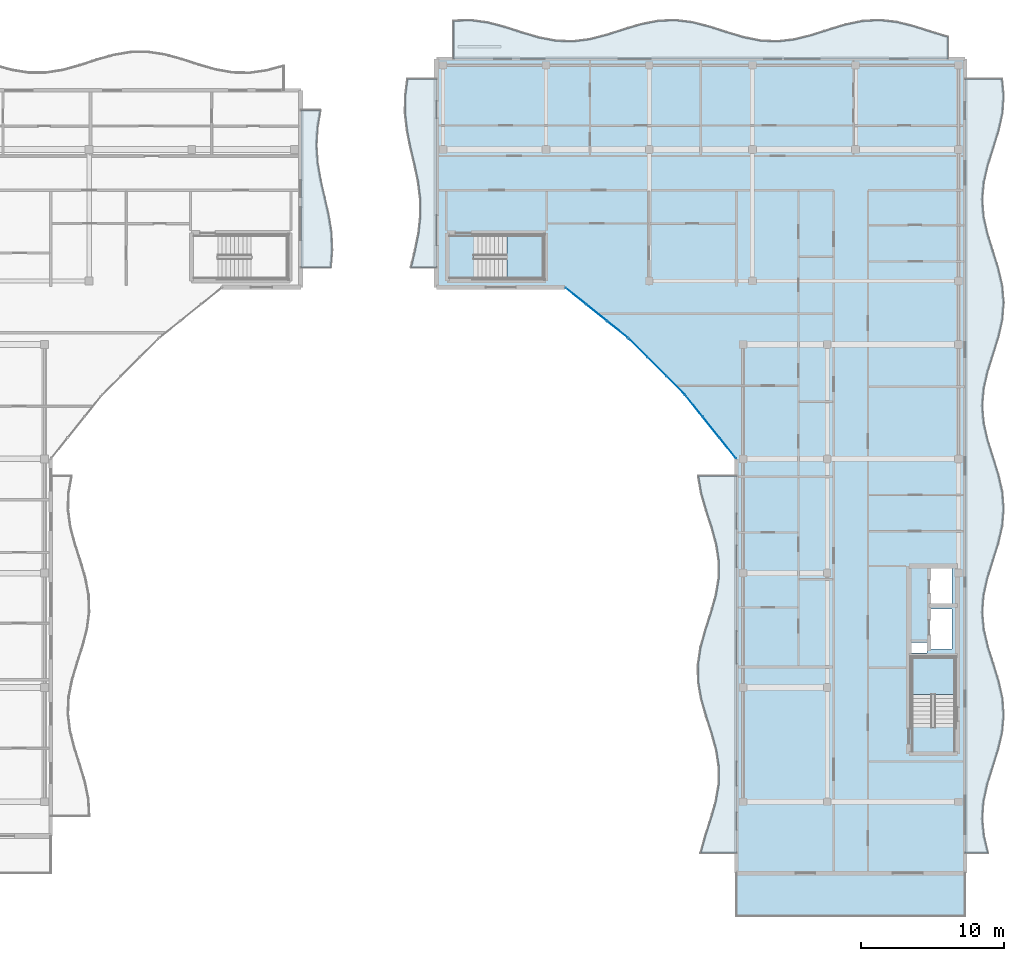
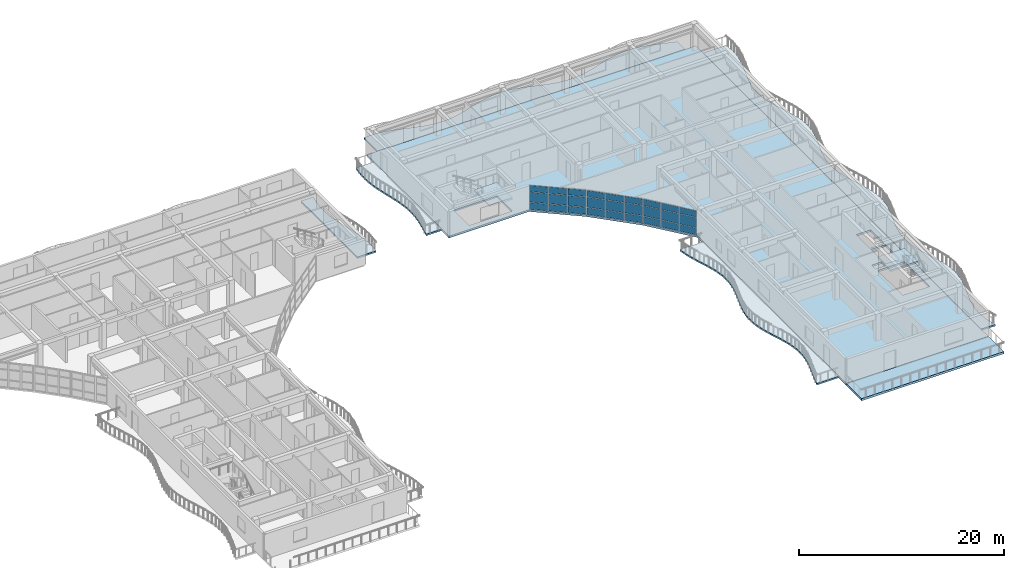
# One storey, part 24 of 49: 27 plates, 9 slabs, 5 elements without a shape of their own.
"""IFC4 building model written with IfcOpenShell, lengths in metres."""

from ifc_helpers import new_model, si_unit, direction, frame, origin, origin_2d, place, context, subcontext, project, spatial, polyline, rectangle, outline, extrude, material, layer, layer_set, type_object, element, aggregate, save


model = new_model("IFC4")

# Units and contexts
model_context = context("Model", 3, precision=1e-05, world=origin(), true_north=direction((0.0, 1.0)))
body_context = subcontext(model_context, "Body", "Model", "MODEL_VIEW")
ifc_project = project(units=[si_unit("LENGTHUNIT", "METRE"), si_unit("AREAUNIT", "SQUARE_METRE"), si_unit("VOLUMEUNIT", "CUBIC_METRE"), si_unit("PLANEANGLEUNIT", "RADIAN"), si_unit("MASSUNIT", "GRAM", prefix="KILO")], contexts=[model_context])

# Site, building, storey
site_placement = place(None, origin())
site = spatial("IfcSite", under=ifc_project, at=site_placement, CompositionType="ELEMENT")
building_placement = place(site_placement, origin())
building = spatial("IfcBuilding", under=site, at=building_placement, Name="Keldmere Railside Commons", CompositionType="ELEMENT")
storey_placement = place(building_placement, frame((0.0, 0.0, 29.760009765625)))
storey = spatial("IfcBuildingStorey", under=building, at=storey_placement, Name="L09", CompositionType="ELEMENT", Elevation=29.760009765625)

# Curtain wall, plates
ifc_material_1 = material(Name="Thermally Broken Aluminium", Category="aluminium")
ifc_layer_1 = layer(ifc_material_1, 0.159912109375, Name="Court Chord Wintergarden CW 5400x2850")
ifc_layer_set_1 = layer_set([ifc_layer_1], Name="Thermally Broken Aluminium")
curtain_wall_type_1 = type_object("IfcCurtainWallType", Name="Court Chord Wintergarden CW 5400x2850", PredefinedType="NOTDEFINED", material=ifc_layer_set_1)
curtain_wall_1_placement = place(storey_placement, origin())
curtain_wall_1 = element("IfcCurtainWall", 1, at=curtain_wall_1_placement, inside=storey, type_object=curtain_wall_type_1, Name="CW-13 CW-L09-184", PredefinedType="NOTDEFINED")
ifc_material_2 = material(Name="Low-E Insulated Double Glazing", Category="glass")
ifc_layer_2 = layer(ifc_material_2, 0.033935546875, Name="Acoustic Laminated Vision Panel 34")
ifc_layer_set_2 = layer_set([ifc_layer_2], Name="Low-E Insulated Double Glazing")
plate_type_1 = type_object("IfcPlateType", Name="Acoustic Laminated Vision Panel 34", PredefinedType="CURTAIN_PANEL", material=ifc_layer_set_2)
plate_1_placement = place(storey_placement, frame((159.678955078125, 97.048583984375, 0.06494140625), z_axis=(0.0, 0.0, 1.0), x_axis=(-0.780009172323, 0.625768080915, 0.0)))
plate_1 = element("IfcPlate", 2, at=plate_1_placement, type_object=plate_type_1, Name="CW-13 panel 1.1", PredefinedType="CURTAIN_PANEL", context=body_context, shape_type="SweptSolid", body=[
    extrude(rectangle(XDim=1.795654296875, YDim=0.033935546875, at=origin_2d()), origin(), (0.0, 0.0, 1.0), 0.802490234375),
])
plate_2_placement = place(storey_placement, frame((159.678955078125, 97.048583984375, 0.932373046875), z_axis=(0.0, 0.0, 1.0), x_axis=(-0.780009172323, 0.625768080915, 0.0)))
plate_2 = element("IfcPlate", 3, at=plate_2_placement, type_object=plate_type_1, Name="CW-13 panel 1.2", PredefinedType="CURTAIN_PANEL", context=body_context, shape_type="SweptSolid", body=[
    extrude(rectangle(XDim=1.795654296875, YDim=0.033935546875, at=origin_2d()), origin(), (0.0, 0.0, 1.0), 1.18505859375),
])
plate_3_placement = place(storey_placement, frame((159.678955078125, 97.048583984375, 2.1826171875), z_axis=(0.0, 0.0, 1.0), x_axis=(-0.780009172323, 0.625768080915, 0.0)))
plate_3 = element("IfcPlate", 4, at=plate_3_placement, type_object=plate_type_1, Name="CW-13 panel 1.3", PredefinedType="CURTAIN_PANEL", context=body_context, shape_type="SweptSolid", body=[
    extrude(rectangle(XDim=1.795654296875, YDim=0.033935546875, at=origin_2d()), origin(), (0.0, 0.0, 1.0), 0.732421875),
])
plate_4_placement = place(storey_placement, frame((158.215087890625, 98.222900390625, 0.06494140625), z_axis=(0.0, 0.0, 1.0), x_axis=(-0.780009172323, 0.625768080915, 0.0)))
plate_4 = element("IfcPlate", 5, at=plate_4_placement, type_object=plate_type_1, Name="CW-13 panel 2.1", PredefinedType="CURTAIN_PANEL", context=body_context, shape_type="SweptSolid", body=[
    extrude(rectangle(XDim=1.828125, YDim=0.033935546875, at=origin_2d()), origin(), (0.0, 0.0, 1.0), 0.802490234375),
])
plate_5_placement = place(storey_placement, frame((158.215087890625, 98.222900390625, 0.932373046875), z_axis=(0.0, 0.0, 1.0), x_axis=(-0.780009172323, 0.625768080915, 0.0)))
plate_5 = element("IfcPlate", 6, at=plate_5_placement, type_object=plate_type_1, Name="CW-13 panel 2.2", PredefinedType="CURTAIN_PANEL", context=body_context, shape_type="SweptSolid", body=[
    extrude(rectangle(XDim=1.828125, YDim=0.033935546875, at=origin_2d()), origin(), (0.0, 0.0, 1.0), 1.18505859375),
])
plate_6_placement = place(storey_placement, frame((158.215087890625, 98.222900390625, 2.1826171875), z_axis=(0.0, 0.0, 1.0), x_axis=(-0.780009172323, 0.625768080915, 0.0)))
plate_6 = element("IfcPlate", 7, at=plate_6_placement, type_object=plate_type_1, Name="CW-13 panel 2.3", PredefinedType="CURTAIN_PANEL", context=body_context, shape_type="SweptSolid", body=[
    extrude(rectangle(XDim=1.828125, YDim=0.033935546875, at=origin_2d()), origin(), (0.0, 0.0, 1.0), 0.732421875),
])
plate_7_placement = place(storey_placement, frame((156.7509765625, 99.3974609375, 0.06494140625), z_axis=(0.0, 0.0, 1.0), x_axis=(-0.780009172323, 0.625768080915, 0.0)))
plate_7 = element("IfcPlate", 8, at=plate_7_placement, type_object=plate_type_1, Name="CW-13 panel 3.1", PredefinedType="CURTAIN_PANEL", context=body_context, shape_type="SweptSolid", body=[
    extrude(rectangle(XDim=1.795654296875, YDim=0.033935546875, at=origin_2d()), origin(), (0.0, 0.0, 1.0), 0.802490234375),
])
plate_8_placement = place(storey_placement, frame((156.7509765625, 99.3974609375, 0.932373046875), z_axis=(0.0, 0.0, 1.0), x_axis=(-0.780009172323, 0.625768080915, 0.0)))
plate_8 = element("IfcPlate", 9, at=plate_8_placement, type_object=plate_type_1, Name="CW-13 panel 3.2", PredefinedType="CURTAIN_PANEL", context=body_context, shape_type="SweptSolid", body=[
    extrude(rectangle(XDim=1.795654296875, YDim=0.033935546875, at=origin_2d()), origin(), (0.0, 0.0, 1.0), 1.18505859375),
])
plate_9_placement = place(storey_placement, frame((156.7509765625, 99.3974609375, 2.1826171875), z_axis=(0.0, 0.0, 1.0), x_axis=(-0.780009172323, 0.625768080915, 0.0)))
plate_9 = element("IfcPlate", 10, at=plate_9_placement, type_object=plate_type_1, Name="CW-13 panel 3.3", PredefinedType="CURTAIN_PANEL", context=body_context, shape_type="SweptSolid", body=[
    extrude(rectangle(XDim=1.795654296875, YDim=0.033935546875, at=origin_2d()), origin(), (0.0, 0.0, 1.0), 0.732421875),
])
aggregate(curtain_wall_1, [plate_1, plate_2, plate_3, plate_4, plate_5, plate_6, plate_7, plate_8, plate_9])

ifc_layer_3 = layer(ifc_material_1, 0.159912109375, Name="Court Chord Wintergarden CW 4800x2850")
ifc_layer_set_3 = layer_set([ifc_layer_3], Name="Thermally Broken Aluminium")
curtain_wall_type_2 = type_object("IfcCurtainWallType", Name="Court Chord Wintergarden CW 4800x2850", PredefinedType="NOTDEFINED", material=ifc_layer_set_3)
curtain_wall_2_placement = place(storey_placement, origin())
curtain_wall_2 = element("IfcCurtainWall", 11, at=curtain_wall_2_placement, inside=storey, type_object=curtain_wall_type_2, Name="CW-12 CW-L09-185", PredefinedType="NOTDEFINED")
ifc_layer_4 = layer(ifc_material_2, 0.031982421875, Name="Clerestory Solar-Control Vision Panel 32")
ifc_layer_set_4 = layer_set([ifc_layer_4], Name="Low-E Insulated Double Glazing")
plate_type_2 = type_object("IfcPlateType", Name="Clerestory Solar-Control Vision Panel 32", PredefinedType="CURTAIN_PANEL", material=ifc_layer_set_4)
plate_10_placement = place(storey_placement, frame((163.76513671875, 93.11083984375, 0.06494140625), z_axis=(0.0, 0.0, 1.0), x_axis=(-0.707106781187, 0.707106781187, 0.0)))
plate_10 = element("IfcPlate", 12, at=plate_10_placement, type_object=plate_type_2, Name="CW-12 panel 1.1", PredefinedType="CURTAIN_PANEL", context=body_context, shape_type="SweptSolid", body=[
    extrude(rectangle(XDim=1.795654296875, YDim=0.031982421875, at=origin_2d()), origin(), (0.0, 0.0, 1.0), 0.802490234375),
])
plate_11_placement = place(storey_placement, frame((163.76513671875, 93.11083984375, 0.932373046875), z_axis=(0.0, 0.0, 1.0), x_axis=(-0.707106781187, 0.707106781187, 0.0)))
plate_11 = element("IfcPlate", 13, at=plate_11_placement, type_object=plate_type_2, Name="CW-12 panel 1.2", PredefinedType="CURTAIN_PANEL", context=body_context, shape_type="SweptSolid", body=[
    extrude(rectangle(XDim=1.795654296875, YDim=0.031982421875, at=origin_2d()), origin(), (0.0, 0.0, 1.0), 1.18505859375),
])
plate_12_placement = place(storey_placement, frame((163.76513671875, 93.11083984375, 2.1826171875), z_axis=(0.0, 0.0, 1.0), x_axis=(-0.707106781187, 0.707106781187, 0.0)))
plate_12 = element("IfcPlate", 14, at=plate_12_placement, type_object=plate_type_2, Name="CW-12 panel 1.3", PredefinedType="CURTAIN_PANEL", context=body_context, shape_type="SweptSolid", body=[
    extrude(rectangle(XDim=1.795654296875, YDim=0.031982421875, at=origin_2d()), origin(), (0.0, 0.0, 1.0), 0.732421875),
])
plate_13_placement = place(storey_placement, frame((162.43798828125, 94.43798828125, 0.06494140625), z_axis=(0.0, 0.0, 1.0), x_axis=(-0.707106781187, 0.707106781187, 0.0)))
plate_13 = element("IfcPlate", 15, at=plate_13_placement, type_object=plate_type_2, Name="CW-12 panel 2.1", PredefinedType="CURTAIN_PANEL", context=body_context, shape_type="SweptSolid", body=[
    extrude(rectangle(XDim=1.828125, YDim=0.031982421875, at=origin_2d()), origin(), (0.0, 0.0, 1.0), 0.802490234375),
])
plate_14_placement = place(storey_placement, frame((162.43798828125, 94.43798828125, 0.932373046875), z_axis=(0.0, 0.0, 1.0), x_axis=(-0.707106781187, 0.707106781187, 0.0)))
plate_14 = element("IfcPlate", 16, at=plate_14_placement, type_object=plate_type_2, Name="CW-12 panel 2.2", PredefinedType="CURTAIN_PANEL", context=body_context, shape_type="SweptSolid", body=[
    extrude(rectangle(XDim=1.828125, YDim=0.031982421875, at=origin_2d()), origin(), (0.0, 0.0, 1.0), 1.18505859375),
])
plate_15_placement = place(storey_placement, frame((162.43798828125, 94.43798828125, 2.1826171875), z_axis=(0.0, 0.0, 1.0), x_axis=(-0.707106781187, 0.707106781187, 0.0)))
plate_15 = element("IfcPlate", 17, at=plate_15_placement, type_object=plate_type_2, Name="CW-12 panel 2.3", PredefinedType="CURTAIN_PANEL", context=body_context, shape_type="SweptSolid", body=[
    extrude(rectangle(XDim=1.828125, YDim=0.031982421875, at=origin_2d()), origin(), (0.0, 0.0, 1.0), 0.732421875),
])
plate_16_placement = place(storey_placement, frame((161.11083984375, 95.76513671875, 0.06494140625), z_axis=(0.0, 0.0, 1.0), x_axis=(-0.707106781187, 0.707106781187, 0.0)))
plate_16 = element("IfcPlate", 18, at=plate_16_placement, type_object=plate_type_2, Name="CW-12 panel 3.1", PredefinedType="CURTAIN_PANEL", context=body_context, shape_type="SweptSolid", body=[
    extrude(rectangle(XDim=1.795654296875, YDim=0.031982421875, at=origin_2d()), origin(), (0.0, 0.0, 1.0), 0.802490234375),
])
plate_17_placement = place(storey_placement, frame((161.11083984375, 95.76513671875, 0.932373046875), z_axis=(0.0, 0.0, 1.0), x_axis=(-0.707106781187, 0.707106781187, 0.0)))
plate_17 = element("IfcPlate", 19, at=plate_17_placement, type_object=plate_type_2, Name="CW-12 panel 3.2", PredefinedType="CURTAIN_PANEL", context=body_context, shape_type="SweptSolid", body=[
    extrude(rectangle(XDim=1.795654296875, YDim=0.031982421875, at=origin_2d()), origin(), (0.0, 0.0, 1.0), 1.18505859375),
])
plate_18_placement = place(storey_placement, frame((161.11083984375, 95.76513671875, 2.1826171875), z_axis=(0.0, 0.0, 1.0), x_axis=(-0.707106781187, 0.707106781187, 0.0)))
plate_18 = element("IfcPlate", 20, at=plate_18_placement, type_object=plate_type_2, Name="CW-12 panel 3.3", PredefinedType="CURTAIN_PANEL", context=body_context, shape_type="SweptSolid", body=[
    extrude(rectangle(XDim=1.795654296875, YDim=0.031982421875, at=origin_2d()), origin(), (0.0, 0.0, 1.0), 0.732421875),
])
aggregate(curtain_wall_2, [plate_10, plate_11, plate_12, plate_13, plate_14, plate_15, plate_16, plate_17, plate_18])

# Stair, slab
ifc_material_3 = material(Name="Concrete H-30 (C30/37)", Category="concrete")
stair_type = type_object("IfcStairType", Name="Residential Core Dogleg Stair 1450", PredefinedType="HALF_TURN_STAIR", material=ifc_material_3)
stair_1_placement = place(storey_placement, origin())
stair_1 = element("IfcStair", 21, at=stair_1_placement, inside=storey, type_object=stair_type, Name="L09 Block A Primary Escape Stair 1", PredefinedType="HALF_TURN_STAIR")
ifc_layer_5 = layer(ifc_material_3, 0.199951171875, Name="Enclosed Stair Landing Slab 200")
ifc_layer_set_5 = layer_set([ifc_layer_5], Name="Concrete H-30 (C30/37)")
slab_type_1 = type_object("IfcSlabType", Name="Enclosed Stair Landing Slab 200", PredefinedType="LANDING", material=ifc_layer_set_5)
slab_1_placement = place(storey_placement, frame((0.0, 0.0, 1.39990234375)))
slab_1 = element("IfcSlab", 22, at=slab_1_placement, type_object=slab_type_1, Name="ST-A1 landing 1", PredefinedType="LANDING", context=body_context, shape_type="SweptSolid", body=[
    extrude(outline(polyline([(183.300048828125, 71.52001953125), (183.300048828125, 74.10009765625), (180.25, 74.10009765625), (180.25, 71.52001953125), (183.300048828125, 71.52001953125)])), origin(), (0.0, 0.0, 1.0), 0.2001953125),
])
aggregate(stair_1, [slab_1])

stair_2_placement = place(storey_placement, origin())
stair_2 = element("IfcStair", 23, at=stair_2_placement, inside=storey, type_object=stair_type, Name="L09 Block A Secondary Escape Stair 2", PredefinedType="HALF_TURN_STAIR")
slab_2_placement = place(storey_placement, frame((0.0, 0.0, 1.39990234375)))
slab_2 = element("IfcSlab", 24, at=slab_2_placement, type_object=slab_type_1, Name="ST-A2 landing 1", PredefinedType="LANDING", context=body_context, shape_type="SweptSolid", body=[
    extrude(outline(polyline([(151.919921875, 100.60009765625), (154.5, 100.60009765625), (154.5, 103.64990234375), (151.919921875, 103.64990234375), (151.919921875, 100.60009765625)])), origin(), (0.0, 0.0, 1.0), 0.2001953125),
])
aggregate(stair_2, [slab_2])

# Curtain wall, plates
curtain_wall_3_placement = place(storey_placement, origin())
curtain_wall_3 = element("IfcCurtainWall", 25, at=curtain_wall_3_placement, inside=storey, type_object=curtain_wall_type_1, Name="CW-13 CW-L09-186", PredefinedType="NOTDEFINED")
ifc_layer_6 = layer(ifc_material_2, 0.028076171875, Name="Low-E Vision Glazing Panel 28")
ifc_layer_set_6 = layer_set([ifc_layer_6], Name="Low-E Insulated Double Glazing")
plate_type_3 = type_object("IfcPlateType", Name="Low-E Vision Glazing Panel 28", PredefinedType="CURTAIN_PANEL", material=ifc_layer_set_6)
plate_19_placement = place(storey_placement, frame((167.3974609375, 88.7509765625, 0.06494140625), z_axis=(0.0, 0.0, 1.0), x_axis=(-0.625768080915, 0.780009172323, 0.0)))
plate_19 = element("IfcPlate", 26, at=plate_19_placement, type_object=plate_type_3, Name="CW-13 panel 1.1", PredefinedType="CURTAIN_PANEL", context=body_context, shape_type="SweptSolid", body=[
    extrude(rectangle(XDim=1.795654296875, YDim=0.028076171875, at=origin_2d()), origin(), (0.0, 0.0, 1.0), 0.802490234375),
])
plate_20_placement = place(storey_placement, frame((167.3974609375, 88.7509765625, 0.932373046875), z_axis=(0.0, 0.0, 1.0), x_axis=(-0.625768080915, 0.780009172323, 0.0)))
plate_20 = element("IfcPlate", 27, at=plate_20_placement, type_object=plate_type_3, Name="CW-13 panel 1.2", PredefinedType="CURTAIN_PANEL", context=body_context, shape_type="SweptSolid", body=[
    extrude(rectangle(XDim=1.795654296875, YDim=0.028076171875, at=origin_2d()), origin(), (0.0, 0.0, 1.0), 1.18505859375),
])
plate_21_placement = place(storey_placement, frame((167.3974609375, 88.7509765625, 2.1826171875), z_axis=(0.0, 0.0, 1.0), x_axis=(-0.625768080915, 0.780009172323, 0.0)))
plate_21 = element("IfcPlate", 28, at=plate_21_placement, type_object=plate_type_3, Name="CW-13 panel 1.3", PredefinedType="CURTAIN_PANEL", context=body_context, shape_type="SweptSolid", body=[
    extrude(rectangle(XDim=1.795654296875, YDim=0.028076171875, at=origin_2d()), origin(), (0.0, 0.0, 1.0), 0.732421875),
])
plate_22_placement = place(storey_placement, frame((166.222900390625, 90.215087890625, 0.06494140625), z_axis=(0.0, 0.0, 1.0), x_axis=(-0.625768080915, 0.780009172323, 0.0)))
plate_22 = element("IfcPlate", 29, at=plate_22_placement, type_object=plate_type_3, Name="CW-13 panel 2.1", PredefinedType="CURTAIN_PANEL", context=body_context, shape_type="SweptSolid", body=[
    extrude(rectangle(XDim=1.828125, YDim=0.028076171875, at=origin_2d()), origin(), (0.0, 0.0, 1.0), 0.802490234375),
])
plate_23_placement = place(storey_placement, frame((166.222900390625, 90.215087890625, 0.932373046875), z_axis=(0.0, 0.0, 1.0), x_axis=(-0.625768080915, 0.780009172323, 0.0)))
plate_23 = element("IfcPlate", 30, at=plate_23_placement, type_object=plate_type_3, Name="CW-13 panel 2.2", PredefinedType="CURTAIN_PANEL", context=body_context, shape_type="SweptSolid", body=[
    extrude(rectangle(XDim=1.828125, YDim=0.028076171875, at=origin_2d()), origin(), (0.0, 0.0, 1.0), 1.18505859375),
])
plate_24_placement = place(storey_placement, frame((166.222900390625, 90.215087890625, 2.1826171875), z_axis=(0.0, 0.0, 1.0), x_axis=(-0.625768080915, 0.780009172323, 0.0)))
plate_24 = element("IfcPlate", 31, at=plate_24_placement, type_object=plate_type_3, Name="CW-13 panel 2.3", PredefinedType="CURTAIN_PANEL", context=body_context, shape_type="SweptSolid", body=[
    extrude(rectangle(XDim=1.828125, YDim=0.028076171875, at=origin_2d()), origin(), (0.0, 0.0, 1.0), 0.732421875),
])
plate_25_placement = place(storey_placement, frame((165.048583984375, 91.678955078125, 0.06494140625), z_axis=(0.0, 0.0, 1.0), x_axis=(-0.625768080915, 0.780009172323, 0.0)))
plate_25 = element("IfcPlate", 32, at=plate_25_placement, type_object=plate_type_3, Name="CW-13 panel 3.1", PredefinedType="CURTAIN_PANEL", context=body_context, shape_type="SweptSolid", body=[
    extrude(rectangle(XDim=1.795654296875, YDim=0.028076171875, at=origin_2d()), origin(), (0.0, 0.0, 1.0), 0.802490234375),
])
plate_26_placement = place(storey_placement, frame((165.048583984375, 91.678955078125, 0.932373046875), z_axis=(0.0, 0.0, 1.0), x_axis=(-0.625768080915, 0.780009172323, 0.0)))
plate_26 = element("IfcPlate", 33, at=plate_26_placement, type_object=plate_type_3, Name="CW-13 panel 3.2", PredefinedType="CURTAIN_PANEL", context=body_context, shape_type="SweptSolid", body=[
    extrude(rectangle(XDim=1.795654296875, YDim=0.028076171875, at=origin_2d()), origin(), (0.0, 0.0, 1.0), 1.18505859375),
])
plate_27_placement = place(storey_placement, frame((165.048583984375, 91.678955078125, 2.1826171875), z_axis=(0.0, 0.0, 1.0), x_axis=(-0.625768080915, 0.780009172323, 0.0)))
plate_27 = element("IfcPlate", 34, at=plate_27_placement, type_object=plate_type_3, Name="CW-13 panel 3.3", PredefinedType="CURTAIN_PANEL", context=body_context, shape_type="SweptSolid", body=[
    extrude(rectangle(XDim=1.795654296875, YDim=0.028076171875, at=origin_2d()), origin(), (0.0, 0.0, 1.0), 0.732421875),
])
aggregate(curtain_wall_3, [plate_19, plate_20, plate_21, plate_22, plate_23, plate_24, plate_25, plate_26, plate_27])

# Slabs
ifc_material_4 = material(Name="Concrete H-35 (C35/45)", Category="concrete")
ifc_layer_7 = layer(ifc_material_4, 0.25, Name="Planted Terrace Roof Slab 250")
ifc_layer_set_7 = layer_set([ifc_layer_7], Name="Concrete H-35 (C35/45)")
slab_type_2 = type_object("IfcSlabType", Name="Planted Terrace Roof Slab 250", PredefinedType="ROOF", material=ifc_layer_set_7)
slab_3_placement = place(storey_placement, frame((0.0, 0.0, -0.25)))
element("IfcSlab", 35, at=slab_3_placement, inside=storey, type_object=slab_type_2, Name="RT-1 TERRA-L09-063", PredefinedType="ROOF", context=body_context, shape_type="SweptSolid", body=[
    extrude(outline(polyline([(184.0, 56.0), (184.0, 58.989990234375), (168.0, 58.989990234375), (168.0, 56.0), (184.0, 56.0)])), origin(), (0.0, 0.0, 1.0), 0.25),
])
ifc_layer_8 = layer(ifc_material_3, 0.219970703125, Name="Residential Flat Slab 220")
ifc_layer_set_8 = layer_set([ifc_layer_8], Name="Concrete H-30 (C30/37)")
slab_type_3 = type_object("IfcSlabType", Name="Residential Flat Slab 220", PredefinedType="FLOOR", material=ifc_layer_set_8)
slab_4_placement = place(storey_placement, frame((0.0, 0.0, -0.219970703125)))
element("IfcSlab", 36, at=slab_4_placement, inside=storey, type_object=slab_type_3, Name="FS-2 BLKA-L09-062", PredefinedType="FLOOR", context=body_context, shape_type="SweptSolid", body=[
    extrude(outline(polyline([(168.0, 59.0), (184.0, 59.0), (184.0, 116.0), (147.0, 116.0), (147.0, 100.0), (156.0, 100.0), (160.429931640625, 96.446044921875), (164.446044921875, 92.429931640625), (168.0, 88.0), (168.0, 59.0)]), holes=[polyline([(183.27490234375, 69.22509765625), (180.27490234375, 69.22509765625), (180.27490234375, 74.074951171875), (183.27490234375, 74.074951171875), (183.27490234375, 69.22509765625)]), polyline([(181.320068359375, 74.419921875), (180.219970703125, 74.419921875), (180.219970703125, 75.159912109375), (181.320068359375, 75.159912109375), (181.320068359375, 74.419921875)]), polyline([(183.10009765625, 74.699951171875), (181.5, 74.699951171875), (181.5, 77.5), (183.10009765625, 77.5), (183.10009765625, 74.699951171875)]), polyline([(183.10009765625, 77.75), (181.5, 77.75), (181.5, 80.39990234375), (183.10009765625, 80.39990234375), (183.10009765625, 77.75)]), polyline([(149.625, 100.625), (149.625, 103.625), (154.47509765625, 103.625), (154.47509765625, 100.625), (149.625, 100.625)])]), origin(), (0.0, 0.0, 1.0), 0.219970703125),
])
ifc_material_5 = material(Name="White Precast Concrete H-35 (C35/45)", Category="concrete")
ifc_layer_9 = layer(ifc_material_5, 0.179931640625, Name="Sinusoidal Wave Balcony Slab 180")
ifc_layer_set_9 = layer_set([ifc_layer_9], Name="White Precast Concrete H-35 (C35/45)")
slab_type_4 = type_object("IfcSlabType", Name="Sinusoidal Wave Balcony Slab 180", PredefinedType="FLOOR", material=ifc_layer_set_9)
slab_5_placement = place(storey_placement, frame((0.0, 0.0, -0.179931640625)))
element("IfcSlab", 37, at=slab_5_placement, inside=storey, type_object=slab_type_4, Name="WB-1 B L09 WE Wave Balcony", PredefinedType="FLOOR", context=body_context, shape_type="SweptSolid", body=[
    extrude(outline(polyline([(139.602783203125, 101.39990234375), (139.698486328125, 102.622314453125), (139.64208984375, 103.844482421875), (139.44921875, 105.066650390625), (139.1728515625, 106.288818359375), (138.890380859375, 107.510986328125), (138.679931640625, 108.7333984375), (138.60009765625, 109.95556640625), (138.6728515625, 111.177734375), (138.87841796875, 112.39990234375), (137.5, 112.39990234375), (137.5, 111.177734375), (137.5, 109.95556640625), (137.5, 108.7333984375), (137.5, 107.510986328125), (137.5, 106.288818359375), (137.5, 105.066650390625), (137.5, 103.844482421875), (137.5, 102.622314453125), (137.5, 101.39990234375), (139.602783203125, 101.39990234375)])), origin(), (0.0, 0.0, 1.0), 0.179931640625),
])
slab_6_placement = place(storey_placement, frame((0.0, 0.0, -0.179931640625)))
element("IfcSlab", 38, at=slab_6_placement, inside=storey, type_object=slab_type_4, Name="WB-1 A L09 N Wave Balcony", PredefinedType="FLOOR", context=body_context, shape_type="SweptSolid", body=[
    extrude(outline(polyline([(148.199951171875, 116.0), (149.39306640625, 116.0), (150.586181640625, 116.0), (151.779296875, 116.0), (152.972412109375, 116.0), (154.16552734375, 116.0), (155.358642578125, 116.0), (156.5517578125, 116.0), (157.744873046875, 116.0), (158.93798828125, 116.0), (160.131103515625, 116.0), (161.32421875, 116.0), (162.51708984375, 116.0), (163.710205078125, 116.0), (164.9033203125, 116.0), (166.0966796875, 116.0), (167.289794921875, 116.0), (168.48291015625, 116.0), (169.67578125, 116.0), (170.868896484375, 116.0), (172.06201171875, 116.0), (173.255126953125, 116.0), (174.4482421875, 116.0), (175.641357421875, 116.0), (176.83447265625, 116.0), (178.027587890625, 116.0), (179.220703125, 116.0), (180.413818359375, 116.0), (181.60693359375, 116.0), (182.800048828125, 116.0), (182.800048828125, 117.522705078125), (181.60693359375, 117.885986328125), (180.413818359375, 118.26611328125), (179.220703125, 118.5625), (178.027587890625, 118.69677734375), (176.83447265625, 118.6328125), (175.641357421875, 118.38818359375), (174.4482421875, 118.02734375), (173.255126953125, 117.64599609375), (172.06201171875, 117.34521484375), (170.868896484375, 117.20458984375), (169.67578125, 117.26171875), (168.48291015625, 117.5009765625), (167.289794921875, 117.859130859375), (166.0966796875, 118.241455078125), (164.9033203125, 118.546630859375), (163.710205078125, 118.693603515625), (162.51708984375, 118.643798828125), (161.32421875, 118.409912109375), (160.131103515625, 118.05419921875), (158.93798828125, 117.671142578125), (157.744873046875, 117.36181640625), (156.5517578125, 117.208251953125), (155.358642578125, 117.251220703125), (154.16552734375, 117.4794921875), (152.972412109375, 117.832275390625), (151.779296875, 118.21630859375), (150.586181640625, 118.52978515625), (149.39306640625, 118.689697265625), (148.199951171875, 118.653564453125), (148.199951171875, 116.0)])), origin(), (0.0, 0.0, 1.0), 0.179931640625),
])
slab_7_placement = place(storey_placement, frame((0.0, 0.0, -0.179931640625)))
element("IfcSlab", 39, at=slab_7_placement, inside=storey, type_object=slab_type_4, Name="WB-1 A L09 CW Wave Balcony", PredefinedType="FLOOR", context=body_context, shape_type="SweptSolid", body=[
    extrude(outline(polyline([(168.0, 60.39990234375), (168.0, 61.60009765625), (168.0, 62.800048828125), (168.0, 64.0), (168.0, 65.199951171875), (168.0, 66.39990234375), (168.0, 67.60009765625), (168.0, 68.800048828125), (168.0, 70.0), (168.0, 71.199951171875), (168.0, 72.39990234375), (168.0, 73.60009765625), (168.0, 74.800048828125), (168.0, 76.0), (168.0, 77.199951171875), (168.0, 78.39990234375), (168.0, 79.60009765625), (168.0, 80.800048828125), (168.0, 82.0), (168.0, 83.199951171875), (168.0, 84.39990234375), (168.0, 85.60009765625), (168.0, 86.800048828125), (165.333740234375, 86.800048828125), (165.541015625, 85.60009765625), (165.884521484375, 84.39990234375), (166.2724609375, 83.199951171875), (166.600830078125, 82.0), (166.781494140625, 80.800048828125), (166.76611328125, 79.60009765625), (166.55908203125, 78.39990234375), (166.21533203125, 77.199951171875), (165.827392578125, 76.0), (165.499267578125, 74.800048828125), (165.318603515625, 73.60009765625), (165.333740234375, 72.39990234375), (165.541015625, 71.199951171875), (165.884521484375, 70.0), (166.2724609375, 68.800048828125), (166.600830078125, 67.60009765625), (166.781494140625, 66.39990234375), (166.76611328125, 65.199951171875), (166.55908203125, 64.0), (166.21533203125, 62.800048828125), (165.827392578125, 61.60009765625), (165.499267578125, 60.39990234375), (168.0, 60.39990234375)])), origin(), (0.0, 0.0, 1.0), 0.179931640625),
])
slab_8_placement = place(storey_placement, frame((0.0, 0.0, -0.179931640625)))
element("IfcSlab", 40, at=slab_8_placement, inside=storey, type_object=slab_type_4, Name="WB-1 A L09 CE Wave Balcony", PredefinedType="FLOOR", context=body_context, shape_type="SweptSolid", body=[
    extrude(outline(polyline([(185.606689453125, 60.39990234375), (185.318603515625, 61.6044921875), (185.20068359375, 62.808837890625), (185.28515625, 64.01318359375), (185.548828125, 65.2177734375), (185.9208984375, 66.422119140625), (186.30078125, 67.626708984375), (186.586181640625, 68.8310546875), (186.69970703125, 70.03564453125), (186.61083984375, 71.239990234375), (186.34375, 72.4443359375), (185.97021484375, 73.64892578125), (185.59130859375, 74.853271484375), (185.309326171875, 76.057861328125), (185.2001953125, 77.26220703125), (185.29345703125, 78.466796875), (185.563720703125, 79.671142578125), (185.9384765625, 80.87548828125), (186.316162109375, 82.080078125), (186.59521484375, 83.284423828125), (186.699951171875, 84.489013671875), (186.602294921875, 85.693359375), (186.32861328125, 86.897705078125), (185.952880859375, 88.102294921875), (185.576171875, 89.306640625), (185.30029296875, 90.510986328125), (185.199951171875, 91.715576171875), (185.302001953125, 92.919921875), (185.578857421875, 94.12451171875), (185.955810546875, 95.328857421875), (186.331298828125, 96.533203125), (186.60400390625, 97.73779296875), (186.699951171875, 98.942138671875), (186.593505859375, 100.146728515625), (186.3134765625, 101.35107421875), (185.935302734375, 102.5556640625), (185.561279296875, 103.760009765625), (185.2919921875, 104.96435546875), (185.2001953125, 106.1689453125), (185.310791015625, 107.373291015625), (185.593994140625, 108.577880859375), (185.973388671875, 109.7822265625), (186.34619140625, 110.98681640625), (186.6123046875, 112.191162109375), (186.699462890625, 113.3955078125), (186.58447265625, 114.60009765625), (184.0, 114.60009765625), (184.0, 113.3955078125), (184.0, 112.191162109375), (184.0, 110.98681640625), (184.0, 109.7822265625), (184.0, 108.577880859375), (184.0, 107.373291015625), (184.0, 106.1689453125), (184.0, 104.96435546875), (184.0, 103.760009765625), (184.0, 102.5556640625), (184.0, 101.35107421875), (184.0, 100.146728515625), (184.0, 98.942138671875), (184.0, 97.73779296875), (184.0, 96.533203125), (184.0, 95.328857421875), (184.0, 94.12451171875), (184.0, 92.919921875), (184.0, 91.715576171875), (184.0, 90.510986328125), (184.0, 89.306640625), (184.0, 88.102294921875), (184.0, 86.897705078125), (184.0, 85.693359375), (184.0, 84.489013671875), (184.0, 83.284423828125), (184.0, 82.080078125), (184.0, 80.87548828125), (184.0, 79.671142578125), (184.0, 78.466796875), (184.0, 77.26220703125), (184.0, 76.057861328125), (184.0, 74.853271484375), (184.0, 73.64892578125), (184.0, 72.4443359375), (184.0, 71.239990234375), (184.0, 70.03564453125), (184.0, 68.8310546875), (184.0, 67.626708984375), (184.0, 66.422119140625), (184.0, 65.2177734375), (184.0, 64.01318359375), (184.0, 62.808837890625), (184.0, 61.6044921875), (184.0, 60.39990234375), (185.606689453125, 60.39990234375)])), origin(), (0.0, 0.0, 1.0), 0.179931640625),
])
slab_9_placement = place(storey_placement, frame((0.0, 0.0, -0.179931640625)))
element("IfcSlab", 41, at=slab_9_placement, inside=storey, type_object=slab_type_4, Name="WB-1 A L09 WW Wave Balcony", PredefinedType="FLOOR", context=body_context, shape_type="SweptSolid", body=[
    extrude(outline(polyline([(147.0, 101.39990234375), (147.0, 102.60009765625), (147.0, 103.800048828125), (147.0, 105.0), (147.0, 106.199951171875), (147.0, 107.39990234375), (147.0, 108.60009765625), (147.0, 109.800048828125), (147.0, 111.0), (147.0, 112.199951171875), (147.0, 113.39990234375), (147.0, 114.60009765625), (144.975830078125, 114.60009765625), (144.824462890625, 113.39990234375), (144.813720703125, 112.199951171875), (144.947021484375, 111.0), (145.18798828125, 109.800048828125), (145.47265625, 108.60009765625), (145.72412109375, 107.39990234375), (145.87548828125, 106.199951171875), (145.88623046875, 105.0), (145.7529296875, 103.800048828125), (145.511962890625, 102.60009765625), (145.227294921875, 101.39990234375), (147.0, 101.39990234375)])), origin(), (0.0, 0.0, 1.0), 0.179931640625),
])

save(model, "model.ifc")
